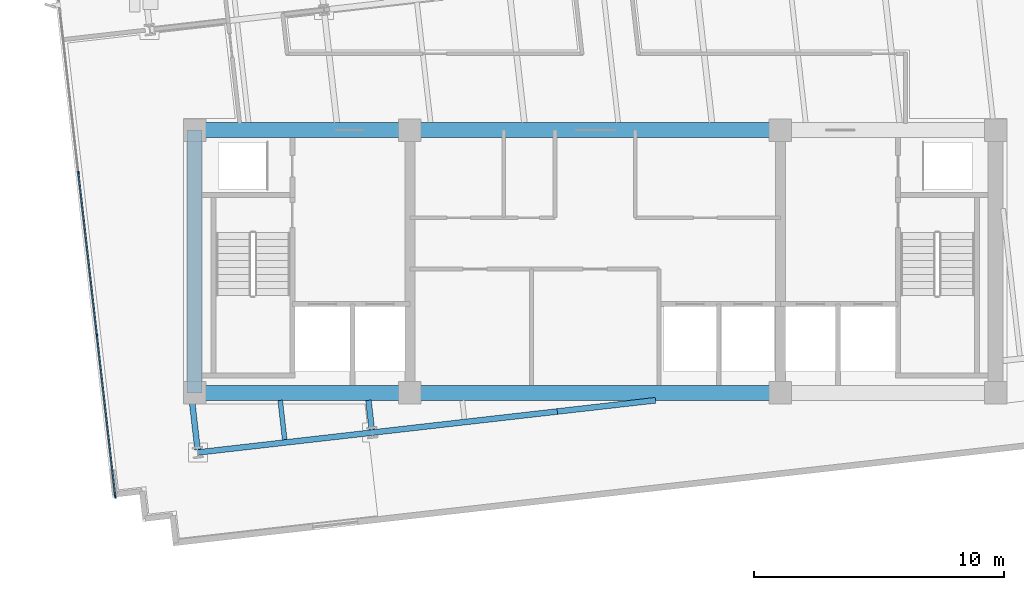
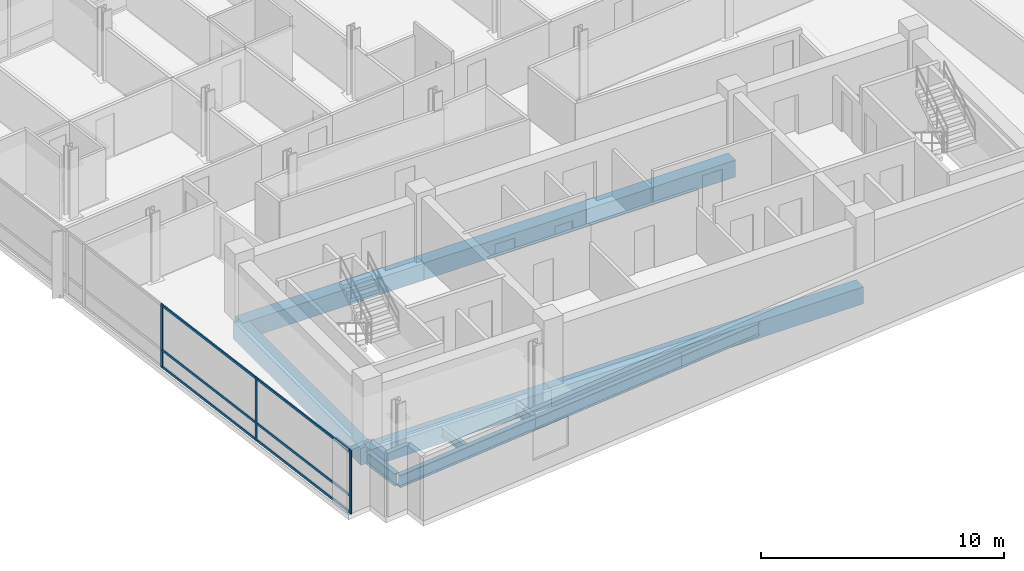
# One storey, part 2 of 16: 11 beams, 9 members, 1 element without a shape of its own.
"""IFC4 building model written with IfcOpenShell, lengths in metres."""

from ifc_helpers import new_model, si_unit, direction, frame, origin, origin_2d, place, context, subcontext, project, spatial, rectangle, i_section, extrude, material, material_profile, profile_set, type_object, element, aggregate, save


model = new_model("IFC4")

# Units and contexts
model_context = context("Model", 3, precision=1e-05, world=origin(), true_north=direction((0.0, 1.0)))
body_context = subcontext(model_context, "Body", "Model", "MODEL_VIEW")
ifc_project = project(units=[si_unit("LENGTHUNIT", "METRE"), si_unit("AREAUNIT", "SQUARE_METRE"), si_unit("VOLUMEUNIT", "CUBIC_METRE"), si_unit("PLANEANGLEUNIT", "RADIAN"), si_unit("MASSUNIT", "GRAM", prefix="KILO")], contexts=[model_context])

# Site, building, storey
site_placement = place(None, origin())
site = spatial("IfcSite", under=ifc_project, at=site_placement, CompositionType="ELEMENT")
building_placement = place(site_placement, origin())
building = spatial("IfcBuilding", under=site, at=building_placement, Name="Solmavex Isthmus Hotel", CompositionType="ELEMENT")
storey_placement = place(building_placement, frame((0.0, 0.0, 219.300048828125)))
storey = spatial("IfcBuildingStorey", under=building, at=storey_placement, Name="L59", CompositionType="ELEMENT", Elevation=219.300048828125)

# Beams
ifc_material_1 = material(Name="Steel ASTM A992 Grade 50", Category="steel")
ifc_material_profile_1 = material_profile(ifc_material_1, i_section(OverallWidth=0.1904296875, OverallDepth=0.456787109375, WebThickness=0.009033203125, FlangeThickness=0.014404296875, FilletRadius=0.0126953125, at=origin_2d()), Name="W18X50")
ifc_profile_set_1 = profile_set([ifc_material_profile_1], Name="Steel ASTM A992 Grade 50")
beam_type_1 = type_object("IfcBeamType", Name="BM-BJ-W18X50", PredefinedType="JOIST", material=ifc_profile_set_1)
beam_1_placement = place(storey_placement, frame((-12.404052734375, -14.872314453125, -0.488525390625), z_axis=(-0.113242002738, 0.993567435465, 0.0), x_axis=(-0.993567435465, -0.113242002738, 0.0)))
element("IfcBeam", 1, at=beam_1_placement, inside=storey, type_object=beam_type_1, Name="Secondary Floor Joist L59-J01", PredefinedType="JOIST", context=body_context, shape_type="SweptSolid", body=[
    extrude(i_section(OverallWidth=0.1904296875, OverallDepth=0.456787109375, WebThickness=0.009033203125, FlangeThickness=0.014404296875, FilletRadius=0.0126953125, at=origin_2d()), origin(), (0.0, 0.0, 1.0), 1.58251953125),
])
ifc_material_profile_2 = material_profile(ifc_material_1, i_section(OverallWidth=0.227783203125, OverallDepth=0.602783203125, WebThickness=0.010498046875, FlangeThickness=0.014892578125, FilletRadius=0.01513671875, at=origin_2d()), Name="W24X68")
ifc_profile_set_2 = profile_set([ifc_material_profile_2], Name="Steel ASTM A992 Grade 50")
beam_type_2 = type_object("IfcBeamType", Name="BM-BM-W24X68", PredefinedType="BEAM", material=ifc_profile_set_2)
beam_2_placement = place(storey_placement, frame((-8.922607421875, -14.4755859375, -0.561279296875), z_axis=(-0.113284703976, 0.993562567655, 0.0), x_axis=(-0.993562567655, -0.113284703976, 0.0)))
element("IfcBeam", 2, at=beam_2_placement, inside=storey, type_object=beam_type_2, Name="Floor Beam L59-VG27", PredefinedType="BEAM", context=body_context, shape_type="SweptSolid", body=[
    extrude(i_section(OverallWidth=0.227783203125, OverallDepth=0.602783203125, WebThickness=0.010498046875, FlangeThickness=0.014892578125, FilletRadius=0.01513671875, at=origin_2d()), origin(), (0.0, 0.0, 1.0), 1.18310546875),
])
ifc_material_2 = material(Name="Concrete C50/60", Category="concrete")
ifc_material_profile_3 = material_profile(ifc_material_2, rectangle(XDim=0.60009765625, YDim=0.85009765625, at=origin_2d()), Name="RC600X850")
ifc_profile_set_3 = profile_set([ifc_material_profile_3], Name="Concrete C50/60")
beam_type_3 = type_object("IfcBeamType", Name="BM-CB-600X850", PredefinedType="BEAM", material=ifc_profile_set_3)
beam_3_placement = place(storey_placement, frame((-16.0, -13.0, -0.68505859375), z_axis=(1.0, 0.0, 0.0), x_axis=(0.0, 1.0, 0.0)))
element("IfcBeam", 3, at=beam_3_placement, inside=storey, type_object=beam_type_3, Name="Core Coupling Beam L59-CB1", PredefinedType="BEAM", context=body_context, shape_type="SweptSolid", body=[
    extrude(rectangle(XDim=0.60009765625, YDim=0.85009765625, at=origin_2d()), origin(), (0.0, 0.0, 1.0), 8.60009765625),
])
beam_4_placement = place(storey_placement, frame((-7.39990234375, -13.0, -0.68505859375), z_axis=(1.0, 0.0, 0.0), x_axis=(0.0, 1.0, 0.0)))
element("IfcBeam", 4, at=beam_4_placement, inside=storey, type_object=beam_type_3, Name="Core Coupling Beam L59-CB2", PredefinedType="BEAM", context=body_context, shape_type="SweptSolid", body=[
    extrude(rectangle(XDim=0.60009765625, YDim=0.85009765625, at=origin_2d()), origin(), (0.0, 0.0, 1.0), 14.7998046875),
])
beam_5_placement = place(storey_placement, frame((-16.0, -2.5, -0.68505859375), z_axis=(1.0, 0.0, 0.0), x_axis=(0.0, 1.0, 0.0)))
element("IfcBeam", 5, at=beam_5_placement, inside=storey, type_object=beam_type_3, Name="Core Coupling Beam L59-CB4", PredefinedType="BEAM", context=body_context, shape_type="SweptSolid", body=[
    extrude(rectangle(XDim=0.60009765625, YDim=0.85009765625, at=origin_2d()), origin(), (0.0, 0.0, 1.0), 8.60009765625),
])
beam_6_placement = place(storey_placement, frame((-7.39990234375, -2.5, -0.68505859375), z_axis=(1.0, 0.0, 0.0), x_axis=(0.0, 1.0, 0.0)))
element("IfcBeam", 6, at=beam_6_placement, inside=storey, type_object=beam_type_3, Name="Core Coupling Beam L59-CB5", PredefinedType="BEAM", context=body_context, shape_type="SweptSolid", body=[
    extrude(rectangle(XDim=0.60009765625, YDim=0.85009765625, at=origin_2d()), origin(), (0.0, 0.0, 1.0), 14.7998046875),
])
beam_7_placement = place(storey_placement, frame((-16.0, -13.0, -0.68505859375), z_axis=(0.0, 1.0, 0.0), x_axis=(-1.0, 0.0, 0.0)))
element("IfcBeam", 7, at=beam_7_placement, inside=storey, type_object=beam_type_3, Name="Core Coupling Beam L59-CB7", PredefinedType="BEAM", context=body_context, shape_type="SweptSolid", body=[
    extrude(rectangle(XDim=0.60009765625, YDim=0.85009765625, at=origin_2d()), origin(), (0.0, 0.0, 1.0), 10.5),
])
ifc_material_profile_4 = material_profile(ifc_material_1, i_section(OverallWidth=0.230224609375, OverallDepth=0.617431640625, WebThickness=0.01318359375, FlangeThickness=0.022216796875, FilletRadius=0.01513671875, at=origin_2d()), Name="W24X94")
ifc_profile_set_4 = profile_set([ifc_material_profile_4], Name="Steel ASTM A992 Grade 50")
beam_type_4 = type_object("IfcBeamType", Name="BM-SP-W24X94", PredefinedType="SPANDREL", material=ifc_profile_set_4)
beam_8_placement = place(storey_placement, frame((-15.87255859375, -15.38330078125, -0.56884765625), z_axis=(0.993574039862, 0.113184041777, 0.0), x_axis=(-0.113184041777, 0.993574039862, 0.0)))
element("IfcBeam", 8, at=beam_8_placement, inside=storey, type_object=beam_type_4, Name="Floor Girder L59-UG01", PredefinedType="SPANDREL", context=body_context, shape_type="SweptSolid", body=[
    extrude(i_section(OverallWidth=0.230224609375, OverallDepth=0.617431640625, WebThickness=0.01318359375, FlangeThickness=0.022216796875, FilletRadius=0.01513671875, at=origin_2d()), origin(), (0.0, 0.0, 1.0), 7.008056640625),
])
beam_9_placement = place(storey_placement, frame((-8.909423828125, -14.590087890625, -0.56884765625), z_axis=(0.993569926006, 0.113220148984, 0.0), x_axis=(-0.113220148984, 0.993569926006, 0.0)))
element("IfcBeam", 9, at=beam_9_placement, inside=storey, type_object=beam_type_4, Name="Floor Girder L59-UG02", PredefinedType="SPANDREL", context=body_context, shape_type="SweptSolid", body=[
    extrude(i_section(OverallWidth=0.230224609375, OverallDepth=0.617431640625, WebThickness=0.01318359375, FlangeThickness=0.022216796875, FilletRadius=0.01513671875, at=origin_2d()), origin(), (0.0, 0.0, 1.0), 7.44580078125),
])
beam_10_placement = place(storey_placement, frame((-1.511474609375, -13.7470703125, -0.56884765625), z_axis=(0.993575434773, 0.113171796023, 0.0), x_axis=(-0.113171796023, 0.993575434773, 0.0)))
element("IfcBeam", 10, at=beam_10_placement, inside=storey, type_object=beam_type_4, Name="Floor Girder L59-UG03", PredefinedType="SPANDREL", context=body_context, shape_type="SweptSolid", body=[
    extrude(i_section(OverallWidth=0.230224609375, OverallDepth=0.617431640625, WebThickness=0.01318359375, FlangeThickness=0.022216796875, FilletRadius=0.01513671875, at=origin_2d()), origin(), (0.0, 0.0, 1.0), 3.949951171875),
])
beam_11_placement = place(storey_placement, frame((-15.885498046875, -15.268798828125, -0.56884765625), z_axis=(-0.113230368519, 0.993568761408, 0.0), x_axis=(-0.993568761408, -0.113230368519, 0.0)))
element("IfcBeam", 11, at=beam_11_placement, inside=storey, type_object=beam_type_4, Name="Floor Beam L59-VG24", PredefinedType="SPANDREL", context=body_context, shape_type="SweptSolid", body=[
    extrude(i_section(OverallWidth=0.230224609375, OverallDepth=0.617431640625, WebThickness=0.01318359375, FlangeThickness=0.022216796875, FilletRadius=0.01513671875, at=origin_2d()), origin(), (0.0, 0.0, 1.0), 1.9814453125),
])

# Curtain wall, members
ifc_material_3 = material(Name="Aluminium alloy 6063-T6", Category="aluminium")
curtain_wall_type = type_object("IfcCurtainWallType", Name="CW-SYS-06", PredefinedType="NOTDEFINED", material=ifc_material_3)
curtain_wall_placement = place(storey_placement, origin())
curtain_wall = element("IfcCurtainWall", 12, at=curtain_wall_placement, inside=storey, type_object=curtain_wall_type, Name="Stick Curtain Wall CWL-L59-W1", PredefinedType="NOTDEFINED")
ifc_material_profile_5 = material_profile(ifc_material_3, rectangle(XDim=0.06005859375, YDim=0.139892578125, at=origin_2d()), Name="CWM-60X140")
ifc_profile_set_5 = profile_set([ifc_material_profile_5], Name="Aluminium alloy 6063-T6")
member_type_1 = type_object("IfcMemberType", Name="CW-SYS-06-MUL", PredefinedType="MULLION", material=ifc_profile_set_5)
member_1_placement = place(storey_placement, frame((-19.175048828125, -17.138427734375, 0.0), z_axis=(0.0, 0.0, 1.0), x_axis=(-0.993571836648, -0.11320338078, 0.0)))
member_1 = element("IfcMember", 13, at=member_1_placement, type_object=member_type_1, Name="CW-06 mullion 1", PredefinedType="MULLION", context=body_context, shape_type="SweptSolid", body=[
    extrude(rectangle(XDim=0.06005859375, YDim=0.139892578125, at=origin_2d()), origin(), (0.0, 0.0, 1.0), 3.18994140625),
])
member_2_placement = place(storey_placement, frame((-19.90966796875, -10.690185546875, 0.0), z_axis=(0.0, 0.0, 1.0), x_axis=(-0.993571836648, -0.11320338078, 0.0)))
member_2 = element("IfcMember", 14, at=member_2_placement, type_object=member_type_1, Name="CW-06 mullion 2", PredefinedType="MULLION", context=body_context, shape_type="SweptSolid", body=[
    extrude(rectangle(XDim=0.06005859375, YDim=0.139892578125, at=origin_2d()), origin(), (0.0, 0.0, 1.0), 3.18994140625),
])
member_3_placement = place(storey_placement, frame((-20.647705078125, -4.212158203125, 0.0), z_axis=(0.0, 0.0, 1.0), x_axis=(-0.993571836648, -0.11320338078, 0.0)))
member_3 = element("IfcMember", 15, at=member_3_placement, type_object=member_type_1, Name="CW-06 mullion 3", PredefinedType="MULLION", context=body_context, shape_type="SweptSolid", body=[
    extrude(rectangle(XDim=0.06005859375, YDim=0.139892578125, at=origin_2d()), origin(), (0.0, 0.0, 1.0), 3.18994140625),
])
ifc_material_profile_6 = material_profile(ifc_material_3, rectangle(XDim=0.06005859375, YDim=0.114990234375, at=origin_2d()), Name="CWT-60X115")
ifc_profile_set_6 = profile_set([ifc_material_profile_6], Name="Aluminium alloy 6063-T6")
member_type_2 = type_object("IfcMemberType", Name="CW-SYS-06-TRN", PredefinedType="USERDEFINED", material=ifc_profile_set_6)
member_4_placement = place(storey_placement, frame((-19.178466796875, -17.108642578125, 0.057373046875), z_axis=(-0.113185709511, 0.993573849879, 0.0), x_axis=(-0.993573849879, -0.113185709511, 0.0)))
member_4 = element("IfcMember", 16, at=member_4_placement, type_object=member_type_2, Name="CW-06 transom 1.1", ObjectType="TRANSOM", PredefinedType="USERDEFINED", context=body_context, shape_type="SweptSolid", body=[
    extrude(rectangle(XDim=0.06005859375, YDim=0.114990234375, at=origin_2d()), origin(), (0.0, 0.0, 1.0), 6.429931640625),
])
member_5_placement = place(storey_placement, frame((-19.178466796875, -17.108642578125, 0.89990234375), z_axis=(-0.113185709511, 0.993573849879, 0.0), x_axis=(-0.993573849879, -0.113185709511, 0.0)))
member_5 = element("IfcMember", 17, at=member_5_placement, type_object=member_type_2, Name="CW-06 transom 1.2", ObjectType="TRANSOM", PredefinedType="USERDEFINED", context=body_context, shape_type="SweptSolid", body=[
    extrude(rectangle(XDim=0.06005859375, YDim=0.114990234375, at=origin_2d()), origin(), (0.0, 0.0, 1.0), 6.429931640625),
])
member_6_placement = place(storey_placement, frame((-19.178466796875, -17.108642578125, 3.132568359375), z_axis=(-0.113185709511, 0.993573849879, 0.0), x_axis=(-0.993573849879, -0.113185709511, 0.0)))
member_6 = element("IfcMember", 18, at=member_6_placement, type_object=member_type_2, Name="CW-06 transom 1.3", ObjectType="TRANSOM", PredefinedType="USERDEFINED", context=body_context, shape_type="SweptSolid", body=[
    extrude(rectangle(XDim=0.06005859375, YDim=0.114990234375, at=origin_2d()), origin(), (0.0, 0.0, 1.0), 6.429931640625),
])
member_7_placement = place(storey_placement, frame((-19.9130859375, -10.660400390625, 0.057373046875), z_axis=(-0.113226824616, 0.993569165276, 0.0), x_axis=(-0.993569165276, -0.113226824616, 0.0)))
member_7 = element("IfcMember", 19, at=member_7_placement, type_object=member_type_2, Name="CW-06 transom 2.1", ObjectType="TRANSOM", PredefinedType="USERDEFINED", context=body_context, shape_type="SweptSolid", body=[
    extrude(rectangle(XDim=0.06005859375, YDim=0.114990234375, at=origin_2d()), origin(), (0.0, 0.0, 1.0), 6.4599609375),
])
member_8_placement = place(storey_placement, frame((-19.9130859375, -10.660400390625, 0.89990234375), z_axis=(-0.113226824616, 0.993569165276, 0.0), x_axis=(-0.993569165276, -0.113226824616, 0.0)))
member_8 = element("IfcMember", 20, at=member_8_placement, type_object=member_type_2, Name="CW-06 transom 2.2", ObjectType="TRANSOM", PredefinedType="USERDEFINED", context=body_context, shape_type="SweptSolid", body=[
    extrude(rectangle(XDim=0.06005859375, YDim=0.114990234375, at=origin_2d()), origin(), (0.0, 0.0, 1.0), 6.4599609375),
])
member_9_placement = place(storey_placement, frame((-19.9130859375, -10.660400390625, 3.132568359375), z_axis=(-0.113226824616, 0.993569165276, 0.0), x_axis=(-0.993569165276, -0.113226824616, 0.0)))
member_9 = element("IfcMember", 21, at=member_9_placement, type_object=member_type_2, Name="CW-06 transom 2.3", ObjectType="TRANSOM", PredefinedType="USERDEFINED", context=body_context, shape_type="SweptSolid", body=[
    extrude(rectangle(XDim=0.06005859375, YDim=0.114990234375, at=origin_2d()), origin(), (0.0, 0.0, 1.0), 6.4599609375),
])
aggregate(curtain_wall, [member_1, member_2, member_3, member_4, member_5, member_6, member_7, member_8, member_9])

save(model, "model.ifc")
